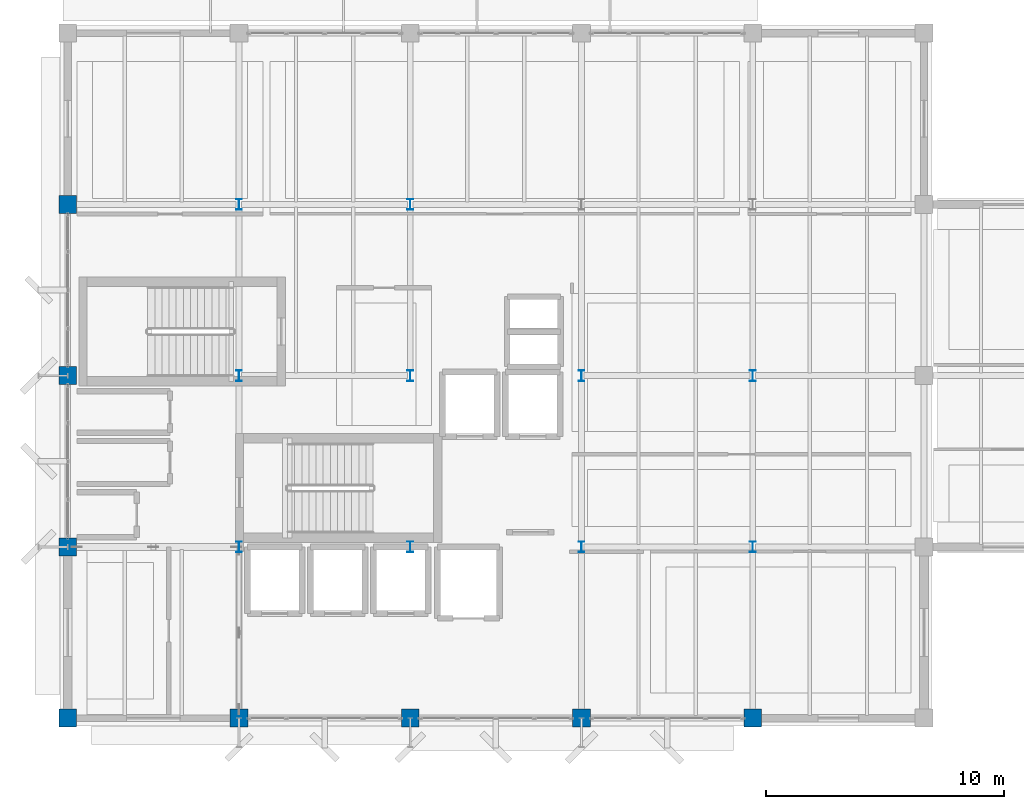
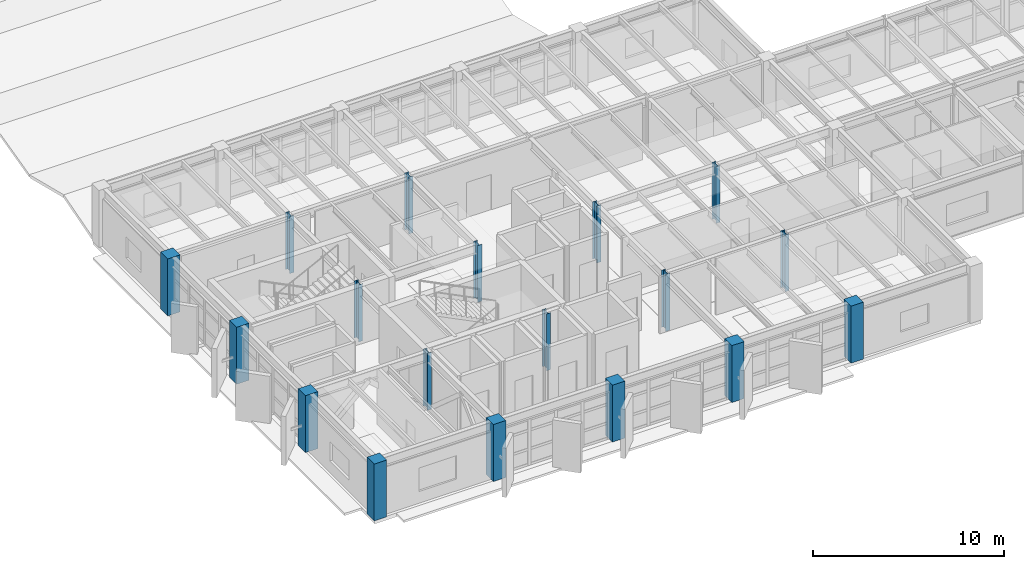
# One storey, part 1 of 48: 18 columns.
"""IFC4 building model written with IfcOpenShell, lengths in metres."""

from ifc_helpers import new_model, si_unit, direction, frame, origin, origin_2d, place, context, subcontext, project, spatial, rectangle, i_section, extrude, material, material_profile, profile_set, type_object, element, save


model = new_model("IFC4")

# Units and contexts
model_context = context("Model", 3, precision=1e-05, world=origin(), true_north=direction((0.0, 1.0)))
body_context = subcontext(model_context, "Body", "Model", "MODEL_VIEW")
ifc_project = project(units=[si_unit("LENGTHUNIT", "METRE"), si_unit("AREAUNIT", "SQUARE_METRE"), si_unit("VOLUMEUNIT", "CUBIC_METRE"), si_unit("PLANEANGLEUNIT", "RADIAN"), si_unit("MASSUNIT", "GRAM", prefix="KILO")], contexts=[model_context])

# Site, building, storey
site_placement = place(None, origin())
site = spatial("IfcSite", under=ifc_project, at=site_placement, CompositionType="ELEMENT")
building_placement = place(site_placement, origin())
building = spatial("IfcBuilding", under=site, at=building_placement, Name="Kandorven Conservatory and Botanical Research Centre", CompositionType="ELEMENT")
storey_placement = place(building_placement, frame((0.0, 0.0, 13.199951171875)))
storey = spatial("IfcBuildingStorey", under=building, at=storey_placement, Name="L03", CompositionType="ELEMENT", Elevation=13.199951171875)

# Columns
ifc_material_1 = material(Name="Steel S355 (IS 2062 E350)", Category="steel")
ifc_material_profile_1 = material_profile(ifc_material_1, i_section(OverallWidth=0.25, OverallDepth=0.449951171875, WebThickness=0.01123046875, FlangeThickness=0.013671875, at=origin_2d()))
ifc_profile_set_1 = profile_set([ifc_material_profile_1], Name="Steel S355 (IS 2062 E350)")
column_type_1 = type_object("IfcColumnType", Name="Col_SC-01", PredefinedType="COLUMN", material=ifc_profile_set_1)
for number, where, z_axis, x_axis, name in (
    (1, (13.199951171875, 13.199951171875, 0.0), (0.0, 0.0, 1.0), (1.0, 0.0, 0.0), "Column SC-01 TWR L03 (2,2)"),
    (2, (13.199951171875, 20.39990234375, 0.0), (0.0, 0.0, 1.0), (1.0, 0.0, 0.0), "Column SC-01 TWR L03 (2,3)"),
    (3, (13.199951171875, 27.60009765625, 0.0), (0.0, 0.0, 1.0), (1.0, 0.0, 0.0), "Column SC-01 TWR L03 (2,4)"),
    (4, (20.39990234375, 13.199951171875, 0.0), (0.0, 0.0, 1.0), (1.0, 0.0, 0.0), "Column SC-01 TWR L03 (3,2)"),
    (5, (20.39990234375, 20.39990234375, 0.0), (0.0, 0.0, 1.0), (1.0, 0.0, 0.0), "Column SC-01 TWR L03 (3,3)"),
    (6, (20.39990234375, 27.60009765625, 0.0), (0.0, 0.0, 1.0), (1.0, 0.0, 0.0), "Column SC-01 TWR L03 (3,4)"),
    (7, (27.60009765625, 13.199951171875, 0.0), (0.0, 0.0, 1.0), (1.0, 0.0, 0.0), "Column SC-01 TWR L03 (4,2)"),
    (8, (27.60009765625, 20.39990234375, 0.0), (0.0, 0.0, 1.0), (1.0, 0.0, 0.0), "Column SC-01 TWR L03 (4,3)"),
    (9, (34.800048828125, 13.199951171875, 0.0), (0.0, 0.0, 1.0), (1.0, 0.0, 0.0), "Column SC-01 TWR L03 (5,2)"),
    (10, (34.800048828125, 20.39990234375, 0.0), (0.0, 0.0, 1.0), (1.0, 0.0, 0.0), "Column SC-01 TWR L03 (5,3)"),
):
    element("IfcColumn", number, at=place(storey_placement, frame(where, z_axis=z_axis, x_axis=x_axis)), inside=storey, type_object=column_type_1, Name=name, PredefinedType="COLUMN", context=body_context, shape_type="SweptSolid", body=[
        extrude(i_section(OverallWidth=0.25, OverallDepth=0.449951171875, WebThickness=0.01123046875, FlangeThickness=0.013671875, at=origin_2d()), origin(), (0.0, 0.0, 1.0), 3.635009765625),
    ])
ifc_material_2 = material(Name="Concrete C40/50 (M50)", Category="concrete")
ifc_material_profile_2 = material_profile(ifc_material_2, rectangle(XDim=0.75, YDim=0.75, at=origin_2d()))
ifc_profile_set_2 = profile_set([ifc_material_profile_2], Name="Concrete C40/50 (M50)")
column_type_2 = type_object("IfcColumnType", Name="Col_TC-03", PredefinedType="COLUMN", material=ifc_profile_set_2)
for number, where, z_axis, x_axis, name in (
    (11, (6.0, 6.0, 0.0), (0.0, 0.0, 1.0), (1.0, 0.0, 0.0), "Column TC-03 TWR L03 (1,1)"),
    (12, (6.0, 13.199951171875, 0.0), (0.0, 0.0, 1.0), (1.0, 0.0, 0.0), "Column TC-03 TWR L03 (1,2)"),
    (13, (6.0, 20.39990234375, 0.0), (0.0, 0.0, 1.0), (1.0, 0.0, 0.0), "Column TC-03 TWR L03 (1,3)"),
    (14, (6.0, 27.60009765625, 0.0), (0.0, 0.0, 1.0), (1.0, 0.0, 0.0), "Column TC-03 TWR L03 (1,4)"),
    (15, (13.199951171875, 6.0, 0.0), (0.0, 0.0, 1.0), (1.0, 0.0, 0.0), "Column TC-03 TWR L03 (2,1)"),
    (16, (20.39990234375, 6.0, 0.0), (0.0, 0.0, 1.0), (1.0, 0.0, 0.0), "Column TC-03 TWR L03 (3,1)"),
    (17, (27.60009765625, 6.0, 0.0), (0.0, 0.0, 1.0), (1.0, 0.0, 0.0), "Column TC-03 TWR L03 (4,1)"),
    (18, (34.800048828125, 6.0, 0.0), (0.0, 0.0, 1.0), (1.0, 0.0, 0.0), "Column TC-03 TWR L03 (5,1)"),
):
    element("IfcColumn", number, at=place(storey_placement, frame(where, z_axis=z_axis, x_axis=x_axis)), inside=storey, type_object=column_type_2, Name=name, PredefinedType="COLUMN", context=body_context, shape_type="SweptSolid", body=[
        extrude(rectangle(XDim=0.75, YDim=0.75, at=origin_2d()), origin(), (0.0, 0.0, 1.0), 3.635009765625),
    ])

save(model, "model.ifc")
